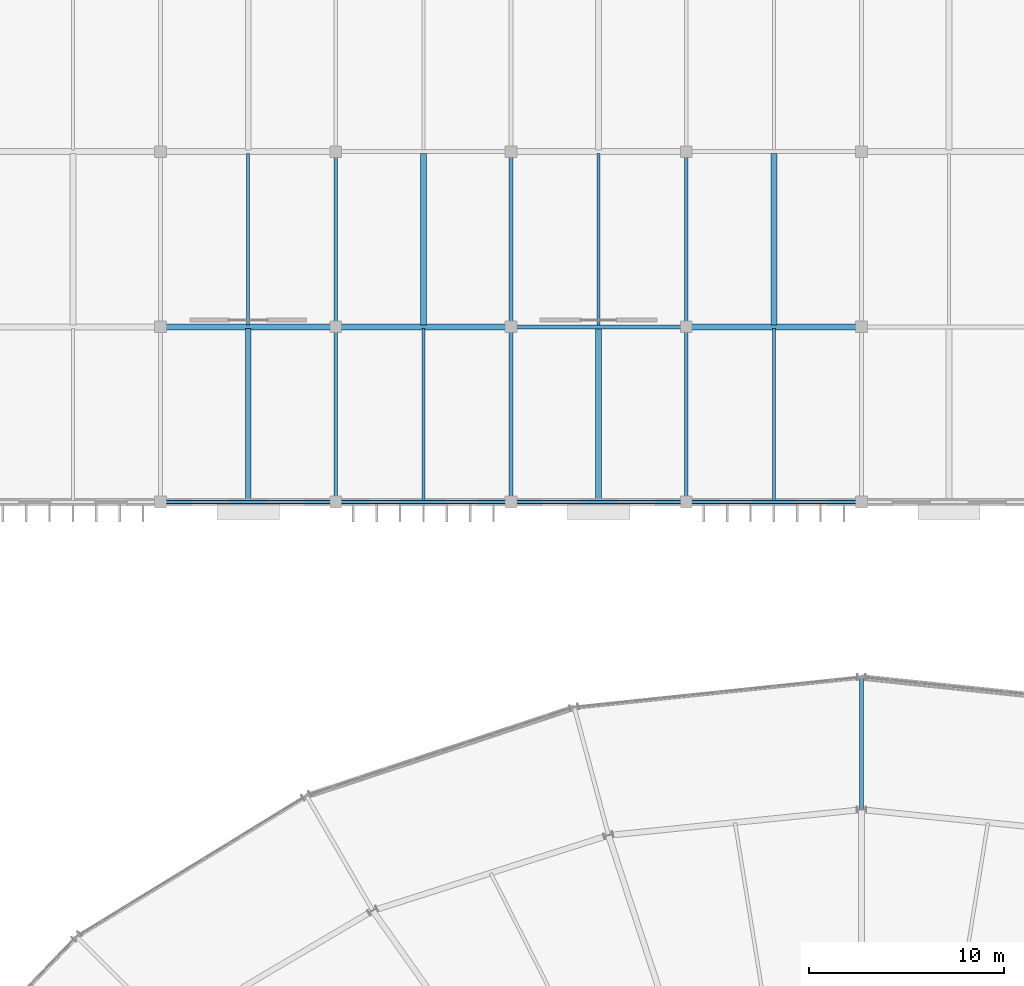
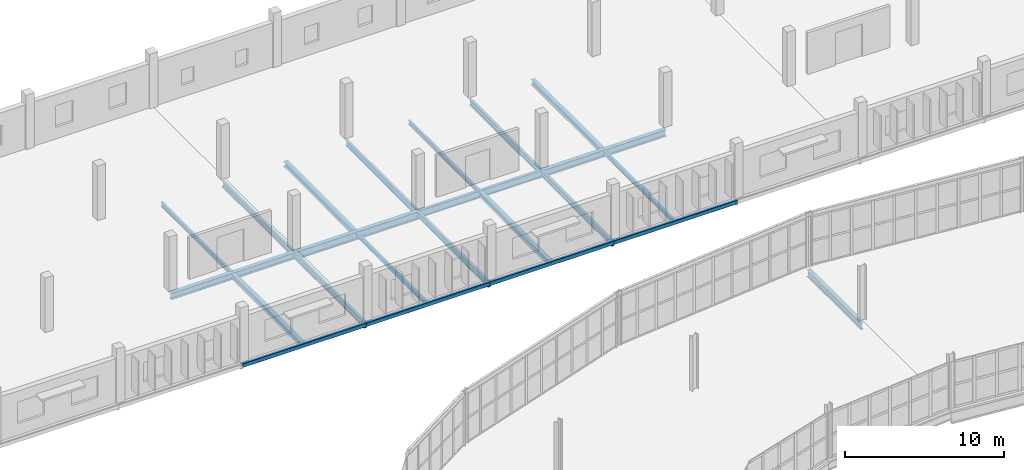
# One storey, part 97 of 161: 23 beams.
"""IFC4 building model written with IfcOpenShell, lengths in metres."""

import ifcopenshell
import ifcopenshell.guid

model = None  # the IFC model being written
_history = None  # IfcOwnerHistory: only IFC2X3 demands one
_inside = {}  # id of a spatial element -> (the spatial element, [elements in it])
_under = {}  # id of a project, library or spatial element -> (it, [spatial elements below it])
_declared = {}  # id of a project -> (the project, [libraries it declares])
_typed = {}  # id of a type object -> (the type object, [elements of that type])
_made_of = {}  # id of a material, layer set ... -> (it, [elements and type objects made of it])


def new_model(schema):
    """Start an empty IFC model of exactly this schema.

    Asked for "IFC4X3", IfcOpenShell would pick the latest addendum, in which some entities
    have other attributes; the version numbers below select the first issue.
    IFC2X3 requires an IfcOwnerHistory on every rooted entity: one is made here for all.
    """
    global model, _history
    if schema == "IFC4X3":
        model = ifcopenshell.file(schema_version=(4, 3, 0, 0))
    else:
        model = ifcopenshell.file(schema=schema)
    _inside.clear()
    _under.clear()
    _declared.clear()
    _typed.clear()
    _made_of.clear()
    _history = None
    if model.schema == "IFC2X3":
        org = make("IfcOrganization", Name="unknown")
        user = make(
            "IfcPersonAndOrganization",
            ThePerson=make("IfcPerson", FamilyName="unknown"),
            TheOrganization=org,
        )
        app = make(
            "IfcApplication",
            ApplicationDeveloper=org,
            Version="unknown",
            ApplicationFullName="unknown",
            ApplicationIdentifier="unknown",
        )
        _history = make(
            "IfcOwnerHistory",
            OwningUser=user,
            OwningApplication=app,
            ChangeAction="ADDED",
            CreationDate=0,
        )
    return model


def make(cls, **values):
    """One entity of the class cls with the attributes given. An attribute that is None is left unset."""
    return model.create_entity(
        cls, **{name: value for name, value in values.items() if value is not None}
    )


def rooted(cls, **values):
    """An entity with a GlobalId (a new one), such as an element, a storey or a relation."""
    return make(cls, GlobalId=ifcopenshell.guid.new(), OwnerHistory=_history, **values)


def si_unit(unit_type, name, prefix=None):
    """IfcSIUnit, for example si_unit("LENGTHUNIT", "METRE", prefix="MILLI")."""
    return make("IfcSIUnit", UnitType=unit_type, Prefix=prefix, Name=name)


def assignment(units):
    """IfcUnitAssignment: the units of a project."""
    return None if units is None else make("IfcUnitAssignment", Units=units)


def point(xyz):
    """IfcCartesianPoint."""
    return None if xyz is None else make("IfcCartesianPoint", Coordinates=xyz)


def direction(xyz):
    """IfcDirection."""
    return None if xyz is None else make("IfcDirection", DirectionRatios=xyz)


def frame(location, z_axis=None, x_axis=None):
    """IfcAxis2Placement3D, a coordinate frame: its origin and axes. An axis left out is left unset."""
    return make(
        "IfcAxis2Placement3D",
        Location=point(location),
        Axis=direction(z_axis),
        RefDirection=direction(x_axis),
    )


def frame_2d(location, x_axis=None):
    """IfcAxis2Placement2D, a coordinate frame in the plane: its origin and x axis."""
    return make(
        "IfcAxis2Placement2D", Location=point(location), RefDirection=direction(x_axis)
    )


def origin():
    """The frame at (0, 0, 0) with its axes left unset."""
    return frame((0.0, 0.0, 0.0))


def origin_2d():
    """The frame at (0, 0) in the plane with its x axis left unset."""
    return frame_2d((0.0, 0.0))


def place(relative_to, where):
    """IfcLocalPlacement: puts the frame where relative to a parent placement (None: the world)."""
    return make(
        "IfcLocalPlacement", PlacementRelTo=relative_to, RelativePlacement=where
    )


def context(
    kind, dimensions, precision=None, world=None, true_north=None, identifier=None
):
    """IfcGeometricRepresentationContext, for example the 3D "Model" context."""
    return make(
        "IfcGeometricRepresentationContext",
        ContextIdentifier=identifier,
        ContextType=kind,
        CoordinateSpaceDimension=dimensions,
        Precision=precision,
        WorldCoordinateSystem=world,
        TrueNorth=true_north,
    )


def subcontext(parent, identifier, kind, view, scale=None):
    """IfcGeometricRepresentationSubContext, for example "Body" below "Model"."""
    return make(
        "IfcGeometricRepresentationSubContext",
        ContextIdentifier=identifier,
        ContextType=kind,
        ParentContext=parent,
        TargetScale=scale,
        TargetView=view,
    )


def project(units=None, contexts=None):
    """IfcProject with its units and contexts."""
    return rooted(
        "IfcProject",
        Name="project",
        RepresentationContexts=contexts,
        UnitsInContext=assignment(units),
    )


def spatial(cls, under=None, at=None, **own):
    """A site, building, storey or space (cls), placed at a placement, below another one or the project."""
    s = rooted(cls, ObjectPlacement=at, **own)
    if under is not None:
        _under.setdefault(under.id(), (under, []))[1].append(s)
    return s


def profile(cls, at=None, kind="AREA", **sizes):
    """A parametric profile (cls). Its sizes go by their IFC names, for example OverallWidth=200.0."""
    return make(cls, ProfileType=kind, Position=at, **sizes)


def hollow_rectangle(**sizes):
    """IfcRectangleHollowProfileDef."""
    return profile("IfcRectangleHollowProfileDef", **sizes)


def i_section(**sizes):
    """IfcIShapeProfileDef."""
    return profile("IfcIShapeProfileDef", **sizes)


def extrude(swept, where, along, depth):
    """IfcExtrudedAreaSolid: the profile swept, set in the frame where, extruded along a direction by depth."""
    return make(
        "IfcExtrudedAreaSolid",
        SweptArea=swept,
        Position=where,
        ExtrudedDirection=direction(along),
        Depth=depth,
    )


def shape(context_of_items, identifier, shape_type, items):
    """IfcShapeRepresentation: the items that make up one representation, for example the "Body"."""
    return make(
        "IfcShapeRepresentation",
        ContextOfItems=context_of_items,
        RepresentationIdentifier=identifier,
        RepresentationType=shape_type,
        Items=items,
    )


def material(Name=None, Category=None):
    """IfcMaterial."""
    return make("IfcMaterial", Name=Name, Category=Category)


def material_profile(
    of_material, cross_section, Name=None, Category=None, Priority=None
):
    """IfcMaterialProfile: a cross section and its material."""
    return make(
        "IfcMaterialProfile",
        Name=Name,
        Material=of_material,
        Profile=cross_section,
        Priority=Priority,
        Category=Category,
    )


def profile_set(profiles, Name=None, composite=None):
    """IfcMaterialProfileSet."""
    return make(
        "IfcMaterialProfileSet",
        Name=Name,
        MaterialProfiles=profiles,
        CompositeProfile=composite,
    )


def made_of(thing, what):
    """Note that an element or type object is made of a material, layer set ...; save() writes the relation."""
    if what is not None:
        _made_of.setdefault(what.id(), (what, []))[1].append(thing)
    return thing


def type_object(cls, material=None, **own):
    """A type object (cls), such as IfcWallType, which elements share."""
    return made_of(rooted(cls, **own), material)


def element(
    cls,
    number,
    at=None,
    inside=None,
    cuts=None,
    type_object=None,
    material=None,
    context=None,
    identifier="Body",
    shape_type=None,
    held_by="IfcProductDefinitionShape",
    body=None,
    shapes=None,
    **own,
):
    """One element of the class cls, such as IfcWall. Its Tag is "e" and its number.

    at: its placement. inside: the storey or other place that contains it. cuts: it is an
    opening in that element (IfcRelVoidsElement). A single representation is given by context,
    identifier, shape_type and body (its items); several are given by shapes. held_by: the class
    of the entity that holds the representations. save() writes the other relations.
    """
    e = rooted(cls, Tag="e%d" % number, ObjectPlacement=at, **own)
    if body is not None:
        shapes = [shape(context, identifier, shape_type, body)]
    if shapes is not None:
        e.Representation = make(held_by, Representations=shapes)
    if inside is not None:
        _inside.setdefault(inside.id(), (inside, []))[1].append(e)
    if cuts is not None:
        rooted(
            "IfcRelVoidsElement", RelatingBuildingElement=cuts, RelatedOpeningElement=e
        )
    if type_object is not None:
        _typed.setdefault(type_object.id(), (type_object, []))[1].append(e)
    return made_of(e, material)


def aggregate(whole, parts):
    """IfcRelAggregates: a whole, such as a stair, and the parts it consists of."""
    return rooted("IfcRelAggregates", RelatingObject=whole, RelatedObjects=parts)


def save(model, path):
    """Write the relations noted so far, then the file.

    IfcRelAggregates (storeys below a building ...), IfcRelContainedInSpatialStructure (elements
    in a storey), IfcRelDefinesByType, IfcRelAssociatesMaterial and IfcRelDeclares: one each for
    every whole, place, type object, material and project.
    """
    for whole, parts in _under.values():
        aggregate(whole, parts)
    for where, things in _inside.values():
        rooted(
            "IfcRelContainedInSpatialStructure",
            RelatedElements=things,
            RelatingStructure=where,
        )
    for kind, things in _typed.values():
        rooted("IfcRelDefinesByType", RelatedObjects=things, RelatingType=kind)
    for what, things in _made_of.values():
        rooted("IfcRelAssociatesMaterial", RelatedObjects=things, RelatingMaterial=what)
    for by, libraries in _declared.values():
        rooted("IfcRelDeclares", RelatingContext=by, RelatedDefinitions=libraries)
    model.write(path)


model = new_model("IFC4")

# Units and contexts
model_context = context("Model", 3, precision=1e-05, world=origin(), true_north=direction((0.0, 1.0)))
body_context = subcontext(model_context, "Body", "Model", "MODEL_VIEW")
ifc_project = project(units=[si_unit("LENGTHUNIT", "METRE"), si_unit("AREAUNIT", "SQUARE_METRE"), si_unit("VOLUMEUNIT", "CUBIC_METRE"), si_unit("PLANEANGLEUNIT", "RADIAN"), si_unit("MASSUNIT", "GRAM", prefix="KILO")], contexts=[model_context])

# Site, building, storey
site_placement = place(None, origin())
site = spatial("IfcSite", under=ifc_project, at=site_placement, CompositionType="ELEMENT")
building_placement = place(site_placement, origin())
building = spatial("IfcBuilding", under=site, at=building_placement, Name="Kildeholm Park Wholesale Market", CompositionType="ELEMENT")
storey_placement = place(building_placement, frame((0.0, 0.0, 5.39990234375)))
storey = spatial("IfcBuildingStorey", under=building, at=storey_placement, Name="L01", CompositionType="ELEMENT", Elevation=5.39990234375)

# Beams
ifc_material = material(Name="Steel S355", Category="steel")
ifc_material_profile_1 = material_profile(ifc_material, i_section(OverallWidth=0.18994140625, OverallDepth=0.449951171875, WebThickness=0.009521484375, FlangeThickness=0.0146484375, FilletRadius=0.02099609375, at=origin_2d()), Name="IPE 450")
ifc_profile_set_1 = profile_set([ifc_material_profile_1], Name="Steel S355")
beam_type_1 = type_object("IfcBeamType", Name="Beam B-P02 IPE 450", PredefinedType="BEAM", material=ifc_profile_set_1)
for number, where, z_axis, x_axis, name in (
    (1, (72.0, 144.0, -0.544921875), (0.0, 1.0, 0.0), (-1.0, 0.0, 0.0), "Beam BM-V4-L01-Y-072-144 BM-0560"),
    (2, (72.0, 153.0, -0.544921875), (0.0, 1.0, 0.0), (-1.0, 0.0, 0.0), "Beam BM-V4-L01-Y-072-153 BM-0563"),
    (3, (81.0, 144.0, -0.544921875), (0.0, 1.0, 0.0), (-1.0, 0.0, 0.0), "Beam BM-V4-L01-Y-081-144 BM-0570"),
    (4, (81.0, 153.0, -0.544921875), (0.0, 1.0, 0.0), (-1.0, 0.0, 0.0), "Beam BM-V4-L01-Y-081-153 BM-0573"),
    (5, (90.0, 144.0, -0.544921875), (0.0, 1.0, 0.0), (-1.0, 0.0, 0.0), "Beam BM-V4-L01-Y-090-144 BM-0580"),
    (6, (90.0, 153.0, -0.544921875), (0.0, 1.0, 0.0), (-1.0, 0.0, 0.0), "Beam BM-V4-L01-Y-090-153 BM-0583"),
):
    element("IfcBeam", number, at=place(storey_placement, frame(where, z_axis=z_axis, x_axis=x_axis)), inside=storey, type_object=beam_type_1, Name=name, PredefinedType="BEAM", context=body_context, shape_type="SweptSolid", body=[
        extrude(i_section(OverallWidth=0.18994140625, OverallDepth=0.449951171875, WebThickness=0.009521484375, FlangeThickness=0.0146484375, FilletRadius=0.02099609375, at=origin_2d()), origin(), (0.0, 0.0, 1.0), 9.0),
    ])
ifc_material_profile_2 = material_profile(ifc_material, i_section(OverallWidth=0.199951171875, OverallDepth=0.5, WebThickness=0.01025390625, FlangeThickness=0.01611328125, FilletRadius=0.02099609375, at=origin_2d()), Name="IPE 500")
ifc_profile_set_2 = profile_set([ifc_material_profile_2], Name="Steel S355")
beam_type_2 = type_object("IfcBeamType", Name="Beam B-P03 IPE 500", PredefinedType="BEAM", material=ifc_profile_set_2)
beam_1_placement = place(storey_placement, frame((99.0, 128.199951171875, -0.5), z_axis=(0.0, 1.0, 0.0), x_axis=(-1.0, 0.0, 0.0)))
element("IfcBeam", 7, at=beam_1_placement, inside=storey, type_object=beam_type_2, Name="Beam BM-V1-L01-R2-06 BM-0058", PredefinedType="BEAM", context=body_context, shape_type="SweptSolid", body=[
    extrude(i_section(OverallWidth=0.199951171875, OverallDepth=0.5, WebThickness=0.01025390625, FlangeThickness=0.01611328125, FilletRadius=0.02099609375, at=origin_2d()), origin(), (0.0, 0.0, 1.0), 6.800048828125),
])
ifc_material_profile_3 = material_profile(ifc_material, i_section(OverallWidth=0.2099609375, OverallDepth=0.550048828125, WebThickness=0.010986328125, FlangeThickness=0.01708984375, FilletRadius=0.02392578125, at=origin_2d()), Name="IPE 550")
ifc_profile_set_3 = profile_set([ifc_material_profile_3], Name="Steel S355")
beam_type_3 = type_object("IfcBeamType", Name="Beam B-X01 IPE 550", PredefinedType="BEAM", material=ifc_profile_set_3)
beam_2_placement = place(storey_placement, frame((81.0, 153.0, -0.594970703125), z_axis=(1.0, 0.0, 0.0), x_axis=(0.0, 1.0, 0.0)))
element("IfcBeam", 8, at=beam_2_placement, inside=storey, type_object=beam_type_3, Name="Beam BM-V4-L01-X-081-153 BM-0572", PredefinedType="BEAM", context=body_context, shape_type="SweptSolid", body=[
    extrude(i_section(OverallWidth=0.2099609375, OverallDepth=0.550048828125, WebThickness=0.010986328125, FlangeThickness=0.01708984375, FilletRadius=0.02392578125, at=origin_2d()), origin(), (0.0, 0.0, 1.0), 9.0),
])
ifc_material_profile_4 = material_profile(ifc_material, i_section(OverallWidth=0.300048828125, OverallDepth=0.5400390625, WebThickness=0.012451171875, FlangeThickness=0.02392578125, FilletRadius=0.027099609375, at=origin_2d()), Name="HEA 550")
ifc_profile_set_4 = profile_set([ifc_material_profile_4], Name="Steel S355")
beam_type_4 = type_object("IfcBeamType", Name="Beam B-X02 HEA 550", PredefinedType="BEAM", material=ifc_profile_set_4)
beam_3_placement = place(storey_placement, frame((90.0, 153.0, -0.58984375), z_axis=(1.0, 0.0, 0.0), x_axis=(0.0, 1.0, 0.0)))
element("IfcBeam", 9, at=beam_3_placement, inside=storey, type_object=beam_type_4, Name="Beam BM-V4-L01-X-090-153 BM-0582", PredefinedType="BEAM", context=body_context, shape_type="SweptSolid", body=[
    extrude(i_section(OverallWidth=0.300048828125, OverallDepth=0.5400390625, WebThickness=0.012451171875, FlangeThickness=0.02392578125, FilletRadius=0.027099609375, at=origin_2d()), origin(), (0.0, 0.0, 1.0), 9.0),
])
ifc_material_profile_5 = material_profile(ifc_material, i_section(OverallWidth=0.300048828125, OverallDepth=0.5, WebThickness=0.014404296875, FlangeThickness=0.028076171875, FilletRadius=0.027099609375, at=origin_2d()), Name="HEB 500")
ifc_profile_set_5 = profile_set([ifc_material_profile_5], Name="Steel S355")
beam_type_5 = type_object("IfcBeamType", Name="Beam B-X05 HEB 500", PredefinedType="BEAM", material=ifc_profile_set_5)
beam_4_placement = place(storey_placement, frame((63.0, 153.0, -0.56982421875), z_axis=(1.0, 0.0, 0.0), x_axis=(0.0, 1.0, 0.0)))
element("IfcBeam", 10, at=beam_4_placement, inside=storey, type_object=beam_type_5, Name="Beam BM-V4-L01-X-063-153 BM-0552", PredefinedType="BEAM", context=body_context, shape_type="SweptSolid", body=[
    extrude(i_section(OverallWidth=0.300048828125, OverallDepth=0.5, WebThickness=0.014404296875, FlangeThickness=0.028076171875, FilletRadius=0.027099609375, at=origin_2d()), origin(), (0.0, 0.0, 1.0), 9.0),
])
ifc_material_profile_6 = material_profile(ifc_material, i_section(OverallWidth=0.300048828125, OverallDepth=0.60009765625, WebThickness=0.015380859375, FlangeThickness=0.030029296875, FilletRadius=0.027099609375, at=origin_2d()), Name="HEB 600")
ifc_profile_set_6 = profile_set([ifc_material_profile_6], Name="Steel S355")
beam_type_6 = type_object("IfcBeamType", Name="Beam B-X06 HEB 600", PredefinedType="BEAM", material=ifc_profile_set_6)
beam_5_placement = place(storey_placement, frame((72.0, 153.0, -0.619873046875), z_axis=(1.0, 0.0, 0.0), x_axis=(0.0, 1.0, 0.0)))
element("IfcBeam", 11, at=beam_5_placement, inside=storey, type_object=beam_type_6, Name="Beam BM-V4-L01-X-072-153 BM-0562", PredefinedType="BEAM", context=body_context, shape_type="SweptSolid", body=[
    extrude(i_section(OverallWidth=0.300048828125, OverallDepth=0.60009765625, WebThickness=0.015380859375, FlangeThickness=0.030029296875, FilletRadius=0.027099609375, at=origin_2d()), origin(), (0.0, 0.0, 1.0), 9.0),
])
ifc_material_profile_7 = material_profile(ifc_material, i_section(OverallWidth=0.159912109375, OverallDepth=0.330078125, WebThickness=0.007568359375, FlangeThickness=0.011474609375, FilletRadius=0.01806640625, at=origin_2d()), Name="IPE 330")
ifc_profile_set_7 = profile_set([ifc_material_profile_7], Name="Steel S355")
beam_type_7 = type_object("IfcBeamType", Name="Beam J-03 IPE 330", PredefinedType="JOIST", material=ifc_profile_set_7)
for number, where, z_axis, x_axis, name in (
    (12, (67.5, 153.0849609375, -0.48486328125), (0.0, 1.0, 0.0), (-1.0, 0.0, 0.0), "Beam JT-V4-L01-063-153 BM-0554"),
    (13, (76.5, 144.0849609375, -0.48486328125), (0.0, 1.0, 0.0), (-1.0, 0.0, 0.0), "Beam JT-V4-L01-072-144 BM-0561"),
    (14, (85.5, 153.0849609375, -0.48486328125), (0.0, 1.0, 0.0), (-1.0, 0.0, 0.0), "Beam JT-V4-L01-081-153 BM-0574"),
    (15, (94.5, 144.0849609375, -0.48486328125), (0.0, 1.0, 0.0), (-1.0, 0.0, 0.0), "Beam JT-V4-L01-090-144 BM-0581"),
):
    element("IfcBeam", number, at=place(storey_placement, frame(where, z_axis=z_axis, x_axis=x_axis)), inside=storey, type_object=beam_type_7, Name=name, PredefinedType="JOIST", context=body_context, shape_type="SweptSolid", body=[
        extrude(i_section(OverallWidth=0.159912109375, OverallDepth=0.330078125, WebThickness=0.007568359375, FlangeThickness=0.011474609375, FilletRadius=0.01806640625, at=origin_2d()), origin(), (0.0, 0.0, 1.0), 8.830078125),
    ])
ifc_material_profile_8 = material_profile(ifc_material, i_section(OverallWidth=0.300048828125, OverallDepth=0.389892578125, WebThickness=0.010986328125, FlangeThickness=0.01904296875, FilletRadius=0.027099609375, at=origin_2d()), Name="HEA 400")
ifc_profile_set_8 = profile_set([ifc_material_profile_8], Name="Steel S355")
beam_type_8 = type_object("IfcBeamType", Name="Beam J-06 HEA 400", PredefinedType="JOIST", material=ifc_profile_set_8)
for number, where, z_axis, x_axis, name in (
    (16, (67.5, 144.0849609375, -0.514892578125), (0.0, 1.0, 0.0), (-1.0, 0.0, 0.0), "Beam JT-V4-L01-063-144 BM-0551"),
    (17, (76.5, 153.0849609375, -0.514892578125), (0.0, 1.0, 0.0), (-1.0, 0.0, 0.0), "Beam JT-V4-L01-072-153 BM-0564"),
    (18, (85.5, 144.0849609375, -0.514892578125), (0.0, 1.0, 0.0), (-1.0, 0.0, 0.0), "Beam JT-V4-L01-081-144 BM-0571"),
    (19, (94.5, 153.0849609375, -0.514892578125), (0.0, 1.0, 0.0), (-1.0, 0.0, 0.0), "Beam JT-V4-L01-090-153 BM-0584"),
):
    element("IfcBeam", number, at=place(storey_placement, frame(where, z_axis=z_axis, x_axis=x_axis)), inside=storey, type_object=beam_type_8, Name=name, PredefinedType="JOIST", context=body_context, shape_type="SweptSolid", body=[
        extrude(i_section(OverallWidth=0.300048828125, OverallDepth=0.389892578125, WebThickness=0.010986328125, FlangeThickness=0.01904296875, FilletRadius=0.027099609375, at=origin_2d()), origin(), (0.0, 0.0, 1.0), 8.830078125),
    ])
ifc_material_profile_9 = material_profile(ifc_material, hollow_rectangle(XDim=0.199951171875, YDim=0.300048828125, WallThickness=0.012451171875, InnerFilletRadius=0.012451171875, OuterFilletRadius=0.02490234375, at=origin_2d()), Name="RHS 300x200x12.5")
ifc_profile_set_9 = profile_set([ifc_material_profile_9], Name="Steel S355")
beam_type_9 = type_object("IfcBeamType", Name="Beam SP-01 RHS 300x200x12.5", PredefinedType="SPANDREL", material=ifc_profile_set_9)
for number, where, z_axis, x_axis, name in (
    (20, (63.0, 144.0, -0.469970703125), (1.0, 0.0, 0.0), (0.0, 1.0, 0.0), "Beam BM-V4-L01-X-063-144 BM-0549"),
    (21, (72.0, 144.0, -0.469970703125), (1.0, 0.0, 0.0), (0.0, 1.0, 0.0), "Beam BM-V4-L01-X-072-144 BM-0559"),
    (22, (81.0, 144.0, -0.469970703125), (1.0, 0.0, 0.0), (0.0, 1.0, 0.0), "Beam BM-V4-L01-X-081-144 BM-0569"),
    (23, (90.0, 144.0, -0.469970703125), (1.0, 0.0, 0.0), (0.0, 1.0, 0.0), "Beam BM-V4-L01-X-090-144 BM-0579"),
):
    element("IfcBeam", number, at=place(storey_placement, frame(where, z_axis=z_axis, x_axis=x_axis)), inside=storey, type_object=beam_type_9, Name=name, PredefinedType="SPANDREL", context=body_context, shape_type="SweptSolid", body=[
        extrude(hollow_rectangle(XDim=0.199951171875, YDim=0.300048828125, WallThickness=0.012451171875, InnerFilletRadius=0.012451171875, OuterFilletRadius=0.02490234375, at=origin_2d()), origin(), (0.0, 0.0, 1.0), 9.0),
    ])

save(model, "model.ifc")
